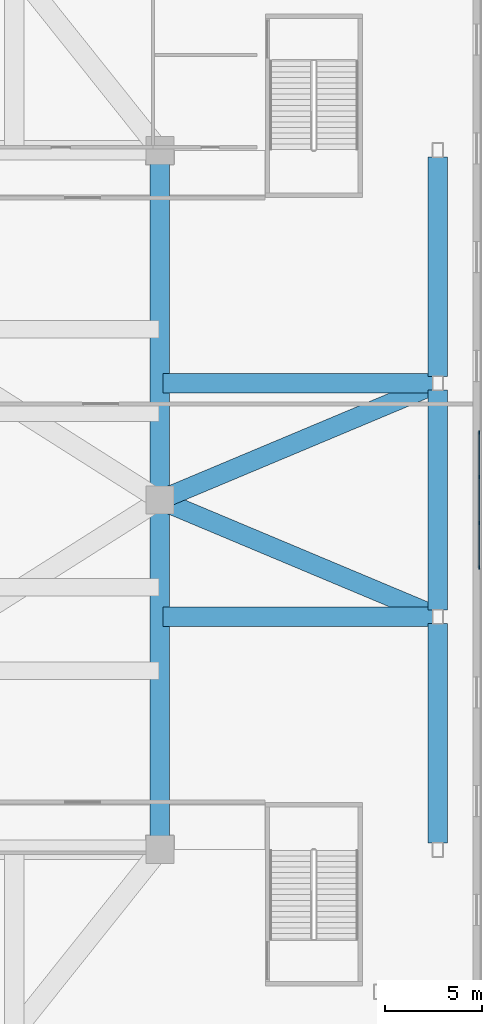
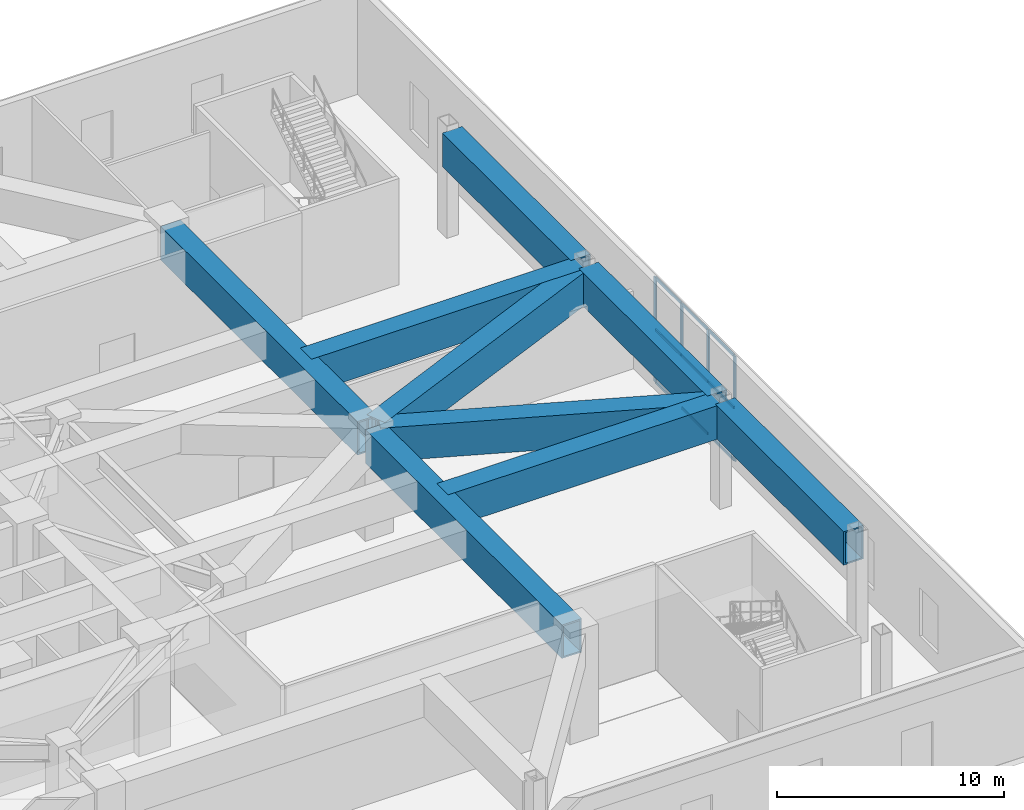
# One storey, part 9 of 24: 13 members, 9 beams, 1 element without a shape of its own.
"""IFC4 building model written with IfcOpenShell, lengths in metres."""

from ifc_helpers import new_model, si_unit, direction, frame, origin, origin_2d, place, context, subcontext, project, spatial, rectangle, hollow_rectangle, extrude, material, layer, layer_set, material_profile, profile_set, type_object, element, aggregate, save


model = new_model("IFC4")

# Units and contexts
model_context = context("Model", 3, precision=1e-05, world=origin(), true_north=direction((0.0, 1.0)))
body_context = subcontext(model_context, "Body", "Model", "MODEL_VIEW")
ifc_project = project(units=[si_unit("LENGTHUNIT", "METRE"), si_unit("AREAUNIT", "SQUARE_METRE"), si_unit("VOLUMEUNIT", "CUBIC_METRE"), si_unit("PLANEANGLEUNIT", "RADIAN"), si_unit("MASSUNIT", "GRAM", prefix="KILO")], contexts=[model_context])

# Site, building, storey
site_placement = place(None, origin())
site = spatial("IfcSite", under=ifc_project, at=site_placement, CompositionType="ELEMENT")
building_placement = place(site_placement, origin())
building = spatial("IfcBuilding", under=site, at=building_placement, Name="Apsidion Concourse Tower", CompositionType="ELEMENT")
storey_placement = place(building_placement, frame((0.0, 0.0, 17.5)))
storey = spatial("IfcBuildingStorey", under=building, at=storey_placement, Name="L03", CompositionType="ELEMENT", Elevation=17.5)

# Beams
ifc_material_1 = material(Name="Structural steel ASTM A572 Grade 50", Category="steel")
ifc_material_profile_1 = material_profile(ifc_material_1, hollow_rectangle(XDim=1.0, YDim=1.800048828125, WallThickness=0.080078125, at=origin_2d()), Name="BOX1800X1000X80")
ifc_profile_set_1 = profile_set([ifc_material_profile_1], Name="Structural steel ASTM A572 Grade 50")
beam_type = type_object("IfcBeamType", Name="BM-TR-1800", PredefinedType="USERDEFINED", material=ifc_profile_set_1)
for number, where, z_axis, x_axis, name in (
    (1, (24.0, -17.64990234375, 4.800048828125), (0.0, 1.0, 0.0), (-1.0, 0.0, 0.0), "L03 Podium Transfer Collector Girder MC2-MC4"),
    (2, (24.0, 0.35009765625, 4.800048828125), (0.0, 1.0, 0.0), (-1.0, 0.0, 0.0), "L03 Podium Transfer Collector Girder MC4-MC6"),
):
    element("IfcBeam", number, at=place(storey_placement, frame(where, z_axis=z_axis, x_axis=x_axis)), inside=storey, type_object=beam_type, Name=name, ObjectType="GIRDER", PredefinedType="USERDEFINED", context=body_context, shape_type="SweptSolid", body=[
        extrude(hollow_rectangle(XDim=1.0, YDim=1.800048828125, WallThickness=0.080078125, at=origin_2d()), origin(), (0.0, 0.0, 1.0), 17.2998046875),
    ])
beam_1_placement = place(storey_placement, frame((38.050048828125, -6.0, 4.800048828125), z_axis=(-1.0, 0.0, 0.0), x_axis=(0.0, -1.0, 0.0)))
element("IfcBeam", 3, at=beam_1_placement, inside=storey, type_object=beam_type, Name="L03 Podium Radial Frame Girder PC06", ObjectType="GIRDER", PredefinedType="USERDEFINED", context=body_context, shape_type="SweptSolid", body=[
    extrude(hollow_rectangle(XDim=1.0, YDim=1.800048828125, WallThickness=0.080078125, at=origin_2d()), origin(), (0.0, 0.0, 1.0), 13.900146484375),
])
beam_2_placement = place(storey_placement, frame((37.977294921875, -5.864501953125, 4.800048828125), z_axis=(-0.92212437548, 0.386893572118, 0.0), x_axis=(-0.386893572118, -0.92212437548, 0.0)))
element("IfcBeam", 4, at=beam_2_placement, inside=storey, type_object=beam_type, Name="L03 Podium Diagonal Frame Tie PC06", ObjectType="GIRDER", PredefinedType="USERDEFINED", context=body_context, shape_type="SweptSolid", body=[
    extrude(hollow_rectangle(XDim=1.0, YDim=1.800048828125, WallThickness=0.080078125, at=origin_2d()), origin(), (0.0, 0.0, 1.0), 14.8076171875),
])
beam_3_placement = place(storey_placement, frame((38.050048828125, 6.0, 4.800048828125), z_axis=(-1.0, 0.0, 0.0), x_axis=(0.0, -1.0, 0.0)))
element("IfcBeam", 5, at=beam_3_placement, inside=storey, type_object=beam_type, Name="L03 Podium Radial Frame Girder PC07", ObjectType="GIRDER", PredefinedType="USERDEFINED", context=body_context, shape_type="SweptSolid", body=[
    extrude(hollow_rectangle(XDim=1.0, YDim=1.800048828125, WallThickness=0.080078125, at=origin_2d()), origin(), (0.0, 0.0, 1.0), 13.900146484375),
])
beam_4_placement = place(storey_placement, frame((37.977294921875, 5.864501953125, 4.800048828125), z_axis=(-0.92212437548, -0.386893572118, 0.0), x_axis=(0.386893572118, -0.92212437548, 0.0)))
element("IfcBeam", 6, at=beam_4_placement, inside=storey, type_object=beam_type, Name="L03 Podium Diagonal Frame Tie PC07", ObjectType="GIRDER", PredefinedType="USERDEFINED", context=body_context, shape_type="SweptSolid", body=[
    extrude(hollow_rectangle(XDim=1.0, YDim=1.800048828125, WallThickness=0.080078125, at=origin_2d()), origin(), (0.0, 0.0, 1.0), 14.8076171875),
])
for number, where, z_axis, x_axis, name in (
    (7, (38.300048828125, -17.64990234375, 4.800048828125), (0.0, 1.0, 0.0), (-1.0, 0.0, 0.0), "L03 Podium Spandrel Girder PC05-PC06"),
    (8, (38.300048828125, -5.64990234375, 4.800048828125), (0.0, 1.0, 0.0), (-1.0, 0.0, 0.0), "L03 Podium Spandrel Girder PC06-PC07"),
    (9, (38.300048828125, 6.35009765625, 4.800048828125), (0.0, 1.0, 0.0), (-1.0, 0.0, 0.0), "L03 Podium Spandrel Girder PC07-PC08"),
):
    element("IfcBeam", number, at=place(storey_placement, frame(where, z_axis=z_axis, x_axis=x_axis)), inside=storey, type_object=beam_type, Name=name, ObjectType="GIRDER", PredefinedType="USERDEFINED", context=body_context, shape_type="SweptSolid", body=[
        extrude(hollow_rectangle(XDim=1.0, YDim=1.800048828125, WallThickness=0.080078125, at=origin_2d()), origin(), (0.0, 0.0, 1.0), 11.2998046875),
    ])

# Curtain wall, members
ifc_material_2 = material(Name="Insulated laminated low-E glass", Category="glass")
ifc_layer = layer(ifc_material_2, 0.199951171875)
ifc_layer_set = layer_set([ifc_layer], Name="Insulated laminated low-E glass")
curtain_wall_type = type_object("IfcCurtainWallType", Name="CW-SYS-02", PredefinedType="NOTDEFINED", material=ifc_layer_set)
curtain_wall_placement = place(storey_placement, origin())
curtain_wall = element("IfcCurtainWall", 10, at=curtain_wall_placement, inside=storey, type_object=curtain_wall_type, Name="L03 Podium Glazed Curtain Wall E", PredefinedType="NOTDEFINED")
ifc_material_3 = material(Name="Anodised aluminium EN AW-6063 T6", Category="aluminium")
ifc_material_profile_2 = material_profile(ifc_material_3, rectangle(XDim=0.06494140625, YDim=0.179931640625, at=origin_2d()), Name="ALU MULLION 65x180")
ifc_profile_set_2 = profile_set([ifc_material_profile_2], Name="Anodised aluminium EN AW-6063 T6")
member_type_1 = type_object("IfcMemberType", Name="CWM-65X180", PredefinedType="MULLION", material=ifc_profile_set_2)
member_1_placement = place(storey_placement, frame((40.43994140625, 3.4833984375, 0.0), z_axis=(0.0, 0.0, 1.0), x_axis=(1.0, 0.0, 0.0)))
member_1 = element("IfcMember", 11, at=member_1_placement, type_object=member_type_1, Name="CW-02 mullion 1", PredefinedType="MULLION", context=body_context, shape_type="SweptSolid", body=[
    extrude(rectangle(XDim=0.06494140625, YDim=0.179931640625, at=origin_2d()), origin(), (0.0, 0.0, 1.0), 5.64990234375),
])
member_2_placement = place(storey_placement, frame((40.43994140625, 1.172119140625, 0.0), z_axis=(0.0, 0.0, 1.0), x_axis=(1.0, 0.0, 0.0)))
member_2 = element("IfcMember", 12, at=member_2_placement, type_object=member_type_1, Name="CW-02 mullion 2", PredefinedType="MULLION", context=body_context, shape_type="SweptSolid", body=[
    extrude(rectangle(XDim=0.06494140625, YDim=0.179931640625, at=origin_2d()), origin(), (0.0, 0.0, 1.0), 5.64990234375),
])
member_3_placement = place(storey_placement, frame((40.43994140625, -1.172119140625, 0.0), z_axis=(0.0, 0.0, 1.0), x_axis=(1.0, 0.0, 0.0)))
member_3 = element("IfcMember", 13, at=member_3_placement, type_object=member_type_1, Name="CW-02 mullion 3", PredefinedType="MULLION", context=body_context, shape_type="SweptSolid", body=[
    extrude(rectangle(XDim=0.06494140625, YDim=0.179931640625, at=origin_2d()), origin(), (0.0, 0.0, 1.0), 5.64990234375),
])
member_4_placement = place(storey_placement, frame((40.43994140625, -3.4833984375, 0.0), z_axis=(0.0, 0.0, 1.0), x_axis=(1.0, 0.0, 0.0)))
member_4 = element("IfcMember", 14, at=member_4_placement, type_object=member_type_1, Name="CW-02 mullion 4", PredefinedType="MULLION", context=body_context, shape_type="SweptSolid", body=[
    extrude(rectangle(XDim=0.06494140625, YDim=0.179931640625, at=origin_2d()), origin(), (0.0, 0.0, 1.0), 5.64990234375),
])
ifc_material_profile_3 = material_profile(ifc_material_3, rectangle(XDim=0.06494140625, YDim=0.139892578125, at=origin_2d()), Name="ALU TRANSOM 65x140")
ifc_profile_set_3 = profile_set([ifc_material_profile_3], Name="Anodised aluminium EN AW-6063 T6")
member_type_2 = type_object("IfcMemberType", Name="CWT-65X140", PredefinedType="USERDEFINED", material=ifc_profile_set_3)
member_5_placement = place(storey_placement, frame((40.43994140625, 3.450927734375, 0.032470703125), z_axis=(0.0, -1.0, 0.0), x_axis=(1.0, 0.0, 0.0)))
member_5 = element("IfcMember", 15, at=member_5_placement, type_object=member_type_2, Name="CW-02 transom 1.1", ObjectType="TRANSOM", PredefinedType="USERDEFINED", context=body_context, shape_type="SweptSolid", body=[
    extrude(rectangle(XDim=0.06494140625, YDim=0.139892578125, at=origin_2d()), origin(), (0.0, 0.0, 1.0), 2.246337890625),
])
member_6_placement = place(storey_placement, frame((40.43994140625, 3.450927734375, 2.824951171875), z_axis=(0.0, -1.0, 0.0), x_axis=(1.0, 0.0, 0.0)))
member_6 = element("IfcMember", 16, at=member_6_placement, type_object=member_type_2, Name="CW-02 transom 1.2", ObjectType="TRANSOM", PredefinedType="USERDEFINED", context=body_context, shape_type="SweptSolid", body=[
    extrude(rectangle(XDim=0.06494140625, YDim=0.139892578125, at=origin_2d()), origin(), (0.0, 0.0, 1.0), 2.246337890625),
])
member_7_placement = place(storey_placement, frame((40.43994140625, 3.450927734375, 5.617431640625), z_axis=(0.0, -1.0, 0.0), x_axis=(1.0, 0.0, 0.0)))
member_7 = element("IfcMember", 17, at=member_7_placement, type_object=member_type_2, Name="CW-02 transom 1.3", ObjectType="TRANSOM", PredefinedType="USERDEFINED", context=body_context, shape_type="SweptSolid", body=[
    extrude(rectangle(XDim=0.06494140625, YDim=0.139892578125, at=origin_2d()), origin(), (0.0, 0.0, 1.0), 2.246337890625),
])
member_8_placement = place(storey_placement, frame((40.43994140625, 1.139404296875, 0.032470703125), z_axis=(0.0, -1.0, 0.0), x_axis=(1.0, 0.0, 0.0)))
member_8 = element("IfcMember", 18, at=member_8_placement, type_object=member_type_2, Name="CW-02 transom 2.1", ObjectType="TRANSOM", PredefinedType="USERDEFINED", context=body_context, shape_type="SweptSolid", body=[
    extrude(rectangle(XDim=0.06494140625, YDim=0.139892578125, at=origin_2d()), origin(), (0.0, 0.0, 1.0), 2.27880859375),
])
member_9_placement = place(storey_placement, frame((40.43994140625, 1.139404296875, 2.824951171875), z_axis=(0.0, -1.0, 0.0), x_axis=(1.0, 0.0, 0.0)))
member_9 = element("IfcMember", 19, at=member_9_placement, type_object=member_type_2, Name="CW-02 transom 2.2", ObjectType="TRANSOM", PredefinedType="USERDEFINED", context=body_context, shape_type="SweptSolid", body=[
    extrude(rectangle(XDim=0.06494140625, YDim=0.139892578125, at=origin_2d()), origin(), (0.0, 0.0, 1.0), 2.27880859375),
])
member_10_placement = place(storey_placement, frame((40.43994140625, 1.139404296875, 5.617431640625), z_axis=(0.0, -1.0, 0.0), x_axis=(1.0, 0.0, 0.0)))
member_10 = element("IfcMember", 20, at=member_10_placement, type_object=member_type_2, Name="CW-02 transom 2.3", ObjectType="TRANSOM", PredefinedType="USERDEFINED", context=body_context, shape_type="SweptSolid", body=[
    extrude(rectangle(XDim=0.06494140625, YDim=0.139892578125, at=origin_2d()), origin(), (0.0, 0.0, 1.0), 2.27880859375),
])
member_11_placement = place(storey_placement, frame((40.43994140625, -1.20458984375, 0.032470703125), z_axis=(0.0, -1.0, 0.0), x_axis=(1.0, 0.0, 0.0)))
member_11 = element("IfcMember", 21, at=member_11_placement, type_object=member_type_2, Name="CW-02 transom 3.1", ObjectType="TRANSOM", PredefinedType="USERDEFINED", context=body_context, shape_type="SweptSolid", body=[
    extrude(rectangle(XDim=0.06494140625, YDim=0.139892578125, at=origin_2d()), origin(), (0.0, 0.0, 1.0), 2.246337890625),
])
member_12_placement = place(storey_placement, frame((40.43994140625, -1.20458984375, 2.824951171875), z_axis=(0.0, -1.0, 0.0), x_axis=(1.0, 0.0, 0.0)))
member_12 = element("IfcMember", 22, at=member_12_placement, type_object=member_type_2, Name="CW-02 transom 3.2", ObjectType="TRANSOM", PredefinedType="USERDEFINED", context=body_context, shape_type="SweptSolid", body=[
    extrude(rectangle(XDim=0.06494140625, YDim=0.139892578125, at=origin_2d()), origin(), (0.0, 0.0, 1.0), 2.246337890625),
])
member_13_placement = place(storey_placement, frame((40.43994140625, -1.20458984375, 5.617431640625), z_axis=(0.0, -1.0, 0.0), x_axis=(1.0, 0.0, 0.0)))
member_13 = element("IfcMember", 23, at=member_13_placement, type_object=member_type_2, Name="CW-02 transom 3.3", ObjectType="TRANSOM", PredefinedType="USERDEFINED", context=body_context, shape_type="SweptSolid", body=[
    extrude(rectangle(XDim=0.06494140625, YDim=0.139892578125, at=origin_2d()), origin(), (0.0, 0.0, 1.0), 2.246337890625),
])
aggregate(curtain_wall, [member_1, member_2, member_3, member_4, member_5, member_6, member_7, member_8, member_9, member_10, member_11, member_12, member_13])

save(model, "model.ifc")
